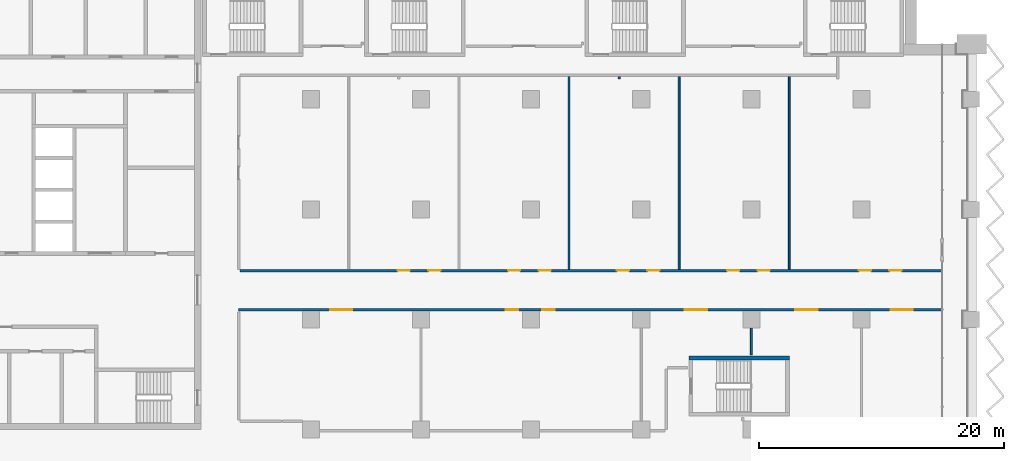
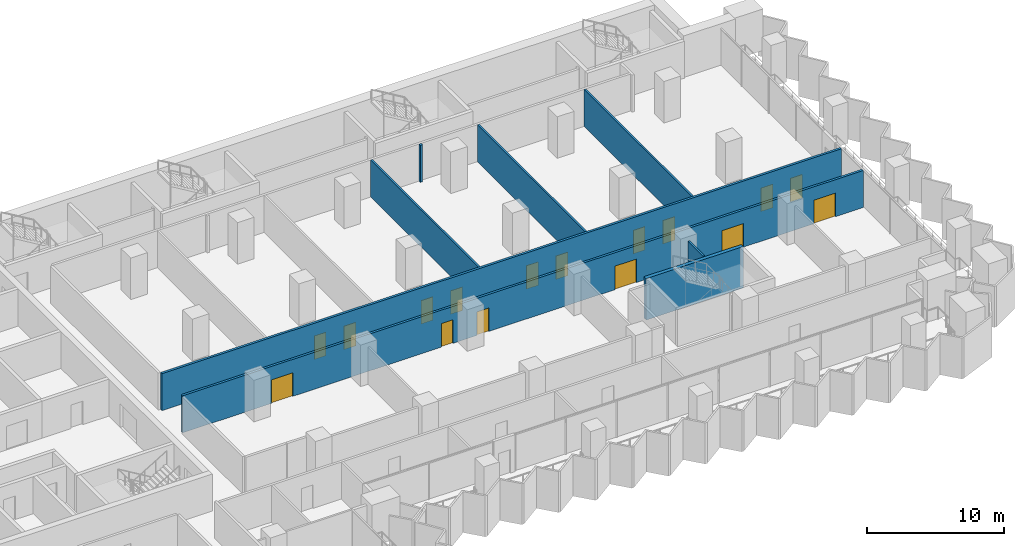
# One storey, part 18 of 29: 16 doors, 8 walls, 16 openings.
"""IFC4 building model written with IfcOpenShell, lengths in metres."""

from ifc_helpers import new_model, si_unit, direction, frame, frame_2d, origin, place, context, subcontext, project, spatial, rectangle, extrude, material, layer, layer_set, type_object, element, fill, save


model = new_model("IFC4")

# Units and contexts
model_context = context("Model", 3, precision=1e-05, world=origin(), true_north=direction((0.0, 1.0)))
body_context = subcontext(model_context, "Body", "Model", "MODEL_VIEW")
ifc_project = project(units=[si_unit("LENGTHUNIT", "METRE"), si_unit("AREAUNIT", "SQUARE_METRE"), si_unit("VOLUMEUNIT", "CUBIC_METRE"), si_unit("PLANEANGLEUNIT", "RADIAN"), si_unit("MASSUNIT", "GRAM", prefix="KILO")], contexts=[model_context])

# Site, building, storey
site_placement = place(None, origin())
site = spatial("IfcSite", under=ifc_project, at=site_placement, CompositionType="ELEMENT")
building_placement = place(site_placement, origin())
building = spatial("IfcBuilding", under=site, at=building_placement, Name="Hunhe Ridgeline Campus", CompositionType="ELEMENT")
storey_placement = place(building_placement, frame((0.0, 0.0, 50.60009765625)))
storey = spatial("IfcBuildingStorey", under=building, at=storey_placement, Name="L11", CompositionType="ELEMENT", Elevation=50.60009765625)

# Wall, openings, doors
ifc_material_1 = material(Name="Gypsum board partition")
ifc_layer_1 = layer(ifc_material_1, 0.199951171875)
ifc_layer_set_1 = layer_set([ifc_layer_1], Name="Corridor partition 200 gypsum board on steel studs")
wall_type_1 = type_object("IfcWallType", Name="Corridor partition 200 gypsum board on steel studs", PredefinedType="PARTITIONING", material=ifc_layer_set_1)
wall_1_placement = place(storey_placement, frame((96.544921875, 72.800048828125, 0.0), z_axis=(0.0, 0.0, 1.0), x_axis=(-1.0, 0.0, 0.0)))
wall_1 = element("IfcWall", 1, at=wall_1_placement, inside=storey, type_object=wall_type_1, Name="F-L11-wall-049", PredefinedType="PARTITIONING", context=body_context, shape_type="SweptSolid", body=[
    extrude(rectangle(XDim=57.44482421875, YDim=0.199951171875, at=frame_2d((28.722412109375, 0.0))), origin(), (0.0, 0.0, 1.0), 3.2998046875),
])
opening_1_placement = place(wall_1_placement, frame((48.14501953125, 0.0, 0.0)))
opening_1 = element("IfcOpeningElement", 2, at=opening_1_placement, cuts=wall_1, Name="Opening RD2-029", PredefinedType="OPENING", context=body_context, shape_type="SweptSolid", body=[
    extrude(rectangle(XDim=1.800048828125, YDim=2.10009765625, at=frame_2d((0.89990234375, 1.050048828125))), frame((0.0, 0.10009765625, 0.0), z_axis=(0.0, -1.0, 0.0), x_axis=(1.0, 0.0, 0.0)), (0.0, 0.0, 1.0), 0.199951171875),
])
opening_2_placement = place(wall_1_placement, frame((34.614013671875, 0.0, 0.0)))
opening_2 = element("IfcOpeningElement", 3, at=opening_2_placement, cuts=wall_1, Name="Opening RD1-030", PredefinedType="OPENING", context=body_context, shape_type="SweptSolid", body=[
    extrude(rectangle(XDim=1.0, YDim=2.10009765625, at=frame_2d((0.5, 1.050048828125))), frame((0.0, 0.10009765625, 0.0), z_axis=(0.0, -1.0, 0.0), x_axis=(1.0, 0.0, 0.0)), (0.0, 0.0, 1.0), 0.199951171875),
])
opening_3_placement = place(wall_1_placement, frame((31.614013671875, 0.0, 0.0)))
opening_3 = element("IfcOpeningElement", 4, at=opening_3_placement, cuts=wall_1, Name="Opening RD1-031", PredefinedType="OPENING", context=body_context, shape_type="SweptSolid", body=[
    extrude(rectangle(XDim=1.0, YDim=2.10009765625, at=frame_2d((0.5, 1.050048828125))), frame((0.0, 0.10009765625, 0.0), z_axis=(0.0, -1.0, 0.0), x_axis=(1.0, 0.0, 0.0)), (0.0, 0.0, 1.0), 0.199951171875),
])
opening_4_placement = place(wall_1_placement, frame((19.168212890625, 0.0, 0.0)))
opening_4 = element("IfcOpeningElement", 5, at=opening_4_placement, cuts=wall_1, Name="Opening RD2-032", PredefinedType="OPENING", context=body_context, shape_type="SweptSolid", body=[
    extrude(rectangle(XDim=1.800048828125, YDim=2.10009765625, at=frame_2d((0.89990234375, 1.050048828125))), frame((0.0, 0.10009765625, 0.0), z_axis=(0.0, -1.0, 0.0), x_axis=(1.0, 0.0, 0.0)), (0.0, 0.0, 1.0), 0.199951171875),
])
opening_5_placement = place(wall_1_placement, frame((10.137451171875, 0.0, 0.0)))
opening_5 = element("IfcOpeningElement", 6, at=opening_5_placement, cuts=wall_1, Name="Opening RD2-033", PredefinedType="OPENING", context=body_context, shape_type="SweptSolid", body=[
    extrude(rectangle(XDim=1.800048828125, YDim=2.10009765625, at=frame_2d((0.89990234375, 1.050048828125))), frame((0.0, 0.10009765625, 0.0), z_axis=(0.0, -1.0, 0.0), x_axis=(1.0, 0.0, 0.0)), (0.0, 0.0, 1.0), 0.199951171875),
])
opening_6_placement = place(wall_1_placement, frame((2.361083984375, 0.0, 0.0)))
opening_6 = element("IfcOpeningElement", 7, at=opening_6_placement, cuts=wall_1, Name="Opening RD2-034", PredefinedType="OPENING", context=body_context, shape_type="SweptSolid", body=[
    extrude(rectangle(XDim=1.800048828125, YDim=2.10009765625, at=frame_2d((0.89990234375, 1.050048828125))), frame((0.0, 0.10009765625, 0.0), z_axis=(0.0, -1.0, 0.0), x_axis=(1.0, 0.0, 0.0)), (0.0, 0.0, 1.0), 0.199951171875),
])
ifc_material_2 = material(Name="Timber door leaf", Category="wood")
door_type_1 = type_object("IfcDoorType", Name="Double fire door 1800x2100 timber FD60", OperationType="DOUBLE_DOOR_SINGLE_SWING", PredefinedType="DOOR", material=ifc_material_2)
door_1_placement = place(opening_1_placement, origin())
door_1 = element("IfcDoor", 8, at=door_1_placement, inside=storey, type_object=door_type_1, Name="F-L11-door-029", OperationType="DOUBLE_DOOR_SINGLE_SWING", OverallHeight=2.10009765625, OverallWidth=1.800048828125, PredefinedType="DOOR", context=body_context, shape_type="SweptSolid", body=[
    extrude(rectangle(XDim=1.800048828125, YDim=2.10009765625, at=frame_2d((0.89990234375, 1.050048828125))), frame((0.0, 0.02490234375, 0.0), z_axis=(0.0, -1.0, 0.0), x_axis=(1.0, 0.0, 0.0)), (0.0, 0.0, 1.0), 0.050048828125),
])
fill(opening_1, door_1)
door_2_placement = place(opening_4_placement, origin())
door_2 = element("IfcDoor", 9, at=door_2_placement, inside=storey, type_object=door_type_1, Name="F-L11-door-032", OperationType="DOUBLE_DOOR_SINGLE_SWING", OverallHeight=2.10009765625, OverallWidth=1.800048828125, PredefinedType="DOOR", context=body_context, shape_type="SweptSolid", body=[
    extrude(rectangle(XDim=1.800048828125, YDim=2.10009765625, at=frame_2d((0.89990234375, 1.050048828125))), frame((0.0, 0.02490234375, 0.0), z_axis=(0.0, -1.0, 0.0), x_axis=(1.0, 0.0, 0.0)), (0.0, 0.0, 1.0), 0.050048828125),
])
fill(opening_4, door_2)
door_3_placement = place(opening_5_placement, origin())
door_3 = element("IfcDoor", 10, at=door_3_placement, inside=storey, type_object=door_type_1, Name="F-L11-door-033", OperationType="DOUBLE_DOOR_SINGLE_SWING", OverallHeight=2.10009765625, OverallWidth=1.800048828125, PredefinedType="DOOR", context=body_context, shape_type="SweptSolid", body=[
    extrude(rectangle(XDim=1.800048828125, YDim=2.10009765625, at=frame_2d((0.89990234375, 1.050048828125))), frame((0.0, 0.02490234375, 0.0), z_axis=(0.0, -1.0, 0.0), x_axis=(1.0, 0.0, 0.0)), (0.0, 0.0, 1.0), 0.050048828125),
])
fill(opening_5, door_3)
door_4_placement = place(opening_6_placement, origin())
door_4 = element("IfcDoor", 11, at=door_4_placement, inside=storey, type_object=door_type_1, Name="F-L11-door-034", OperationType="DOUBLE_DOOR_SINGLE_SWING", OverallHeight=2.10009765625, OverallWidth=1.800048828125, PredefinedType="DOOR", context=body_context, shape_type="SweptSolid", body=[
    extrude(rectangle(XDim=1.800048828125, YDim=2.10009765625, at=frame_2d((0.89990234375, 1.050048828125))), frame((0.0, 0.02490234375, 0.0), z_axis=(0.0, -1.0, 0.0), x_axis=(1.0, 0.0, 0.0)), (0.0, 0.0, 1.0), 0.050048828125),
])
fill(opening_6, door_4)
door_type_2 = type_object("IfcDoorType", Name="Single fire door 1000x2100 timber FD60", OperationType="NOTDEFINED", PredefinedType="DOOR", material=ifc_material_2)
door_5_placement = place(opening_2_placement, frame((1.0, 0.0, 0.0), z_axis=(0.0, 0.0, 1.0), x_axis=(-1.0, 0.0, 0.0)))
door_5 = element("IfcDoor", 12, at=door_5_placement, inside=storey, type_object=door_type_2, Name="F-L11-door-030", OperationType="SINGLE_SWING_LEFT", OverallHeight=2.10009765625, OverallWidth=1.0, PredefinedType="DOOR", context=body_context, shape_type="SweptSolid", body=[
    extrude(rectangle(XDim=1.0, YDim=2.10009765625, at=frame_2d((0.5, 1.050048828125))), frame((0.0, 0.02490234375, 0.0), z_axis=(0.0, -1.0, 0.0), x_axis=(1.0, 0.0, 0.0)), (0.0, 0.0, 1.0), 0.050048828125),
])
fill(opening_2, door_5)
door_6_placement = place(opening_3_placement, frame((1.0, 0.0, 0.0), z_axis=(0.0, 0.0, 1.0), x_axis=(-1.0, 0.0, 0.0)))
door_6 = element("IfcDoor", 13, at=door_6_placement, inside=storey, type_object=door_type_2, Name="F-L11-door-031", OperationType="SINGLE_SWING_RIGHT", OverallHeight=2.10009765625, OverallWidth=1.0, PredefinedType="DOOR", context=body_context, shape_type="SweptSolid", body=[
    extrude(rectangle(XDim=1.0, YDim=2.10009765625, at=frame_2d((0.5, 1.050048828125))), frame((0.0, 0.02490234375, 0.0), z_axis=(0.0, -1.0, 0.0), x_axis=(1.0, 0.0, 0.0)), (0.0, 0.0, 1.0), 0.050048828125),
])
fill(opening_3, door_6)

wall_2_placement = place(storey_placement, frame((39.199951171875, 76.0, 0.0), z_axis=(0.0, 0.0, 1.0), x_axis=(1.0, 0.0, 0.0)))
wall_2 = element("IfcWall", 14, at=wall_2_placement, inside=storey, type_object=wall_type_1, Name="F-L11-wall-050", PredefinedType="PARTITIONING", context=body_context, shape_type="SweptSolid", body=[
    extrude(rectangle(XDim=57.344970703125, YDim=0.199951171875, at=frame_2d((28.67236328125, 0.0))), origin(), (0.0, 0.0, 1.0), 3.2998046875),
])
opening_7_placement = place(wall_2_placement, frame((12.897216796875, 0.0, 0.0)))
opening_7 = element("IfcOpeningElement", 15, at=opening_7_placement, cuts=wall_2, Name="Opening RD1-035", PredefinedType="OPENING", context=body_context, shape_type="SweptSolid", body=[
    extrude(rectangle(XDim=1.0, YDim=2.10009765625, at=frame_2d((0.5, 1.050048828125))), frame((0.0, 0.10009765625, 0.0), z_axis=(0.0, -1.0, 0.0), x_axis=(1.0, 0.0, 0.0)), (0.0, 0.0, 1.0), 0.199951171875),
])
opening_8_placement = place(wall_2_placement, frame((15.397216796875, 0.0, 0.0)))
opening_8 = element("IfcOpeningElement", 16, at=opening_8_placement, cuts=wall_2, Name="Opening RD1-036", PredefinedType="OPENING", context=body_context, shape_type="SweptSolid", body=[
    extrude(rectangle(XDim=1.0, YDim=2.10009765625, at=frame_2d((0.5, 1.050048828125))), frame((0.0, 0.10009765625, 0.0), z_axis=(0.0, -1.0, 0.0), x_axis=(1.0, 0.0, 0.0)), (0.0, 0.0, 1.0), 0.199951171875),
])
opening_9_placement = place(wall_2_placement, frame((21.912109375, 0.0, 0.0)))
opening_9 = element("IfcOpeningElement", 17, at=opening_9_placement, cuts=wall_2, Name="Opening RD1-037", PredefinedType="OPENING", context=body_context, shape_type="SweptSolid", body=[
    extrude(rectangle(XDim=1.0, YDim=2.10009765625, at=frame_2d((0.5, 1.050048828125))), frame((0.0, 0.10009765625, 0.0), z_axis=(0.0, -1.0, 0.0), x_axis=(1.0, 0.0, 0.0)), (0.0, 0.0, 1.0), 0.199951171875),
])
opening_10_placement = place(wall_2_placement, frame((24.412109375, 0.0, 0.0)))
opening_10 = element("IfcOpeningElement", 18, at=opening_10_placement, cuts=wall_2, Name="Opening RD1-038", PredefinedType="OPENING", context=body_context, shape_type="SweptSolid", body=[
    extrude(rectangle(XDim=1.0, YDim=2.10009765625, at=frame_2d((0.5, 1.050048828125))), frame((0.0, 0.10009765625, 0.0), z_axis=(0.0, -1.0, 0.0), x_axis=(1.0, 0.0, 0.0)), (0.0, 0.0, 1.0), 0.199951171875),
])
opening_11_placement = place(wall_2_placement, frame((30.802001953125, 0.0, 0.0)))
opening_11 = element("IfcOpeningElement", 19, at=opening_11_placement, cuts=wall_2, Name="Opening RD1-039", PredefinedType="OPENING", context=body_context, shape_type="SweptSolid", body=[
    extrude(rectangle(XDim=1.0, YDim=2.10009765625, at=frame_2d((0.5, 1.050048828125))), frame((0.0, 0.10009765625, 0.0), z_axis=(0.0, -1.0, 0.0), x_axis=(1.0, 0.0, 0.0)), (0.0, 0.0, 1.0), 0.199951171875),
])
opening_12_placement = place(wall_2_placement, frame((33.302001953125, 0.0, 0.0)))
opening_12 = element("IfcOpeningElement", 20, at=opening_12_placement, cuts=wall_2, Name="Opening RD1-040", PredefinedType="OPENING", context=body_context, shape_type="SweptSolid", body=[
    extrude(rectangle(XDim=1.0, YDim=2.10009765625, at=frame_2d((0.5, 1.050048828125))), frame((0.0, 0.10009765625, 0.0), z_axis=(0.0, -1.0, 0.0), x_axis=(1.0, 0.0, 0.0)), (0.0, 0.0, 1.0), 0.199951171875),
])
opening_13_placement = place(wall_2_placement, frame((39.81689453125, 0.0, 0.0)))
opening_13 = element("IfcOpeningElement", 21, at=opening_13_placement, cuts=wall_2, Name="Opening RD1-041", PredefinedType="OPENING", context=body_context, shape_type="SweptSolid", body=[
    extrude(rectangle(XDim=1.0, YDim=2.10009765625, at=frame_2d((0.5, 1.050048828125))), frame((0.0, 0.10009765625, 0.0), z_axis=(0.0, -1.0, 0.0), x_axis=(1.0, 0.0, 0.0)), (0.0, 0.0, 1.0), 0.199951171875),
])
opening_14_placement = place(wall_2_placement, frame((42.31689453125, 0.0, 0.0)))
opening_14 = element("IfcOpeningElement", 22, at=opening_14_placement, cuts=wall_2, Name="Opening RD1-042", PredefinedType="OPENING", context=body_context, shape_type="SweptSolid", body=[
    extrude(rectangle(XDim=1.0, YDim=2.10009765625, at=frame_2d((0.5, 1.050048828125))), frame((0.0, 0.10009765625, 0.0), z_axis=(0.0, -1.0, 0.0), x_axis=(1.0, 0.0, 0.0)), (0.0, 0.0, 1.0), 0.199951171875),
])
opening_15_placement = place(wall_2_placement, frame((50.584716796875, 0.0, 0.0)))
opening_15 = element("IfcOpeningElement", 23, at=opening_15_placement, cuts=wall_2, Name="Opening RD1-043", PredefinedType="OPENING", context=body_context, shape_type="SweptSolid", body=[
    extrude(rectangle(XDim=1.0, YDim=2.10009765625, at=frame_2d((0.5, 1.050048828125))), frame((0.0, 0.10009765625, 0.0), z_axis=(0.0, -1.0, 0.0), x_axis=(1.0, 0.0, 0.0)), (0.0, 0.0, 1.0), 0.199951171875),
])
opening_16_placement = place(wall_2_placement, frame((53.084716796875, 0.0, 0.0)))
opening_16 = element("IfcOpeningElement", 24, at=opening_16_placement, cuts=wall_2, Name="Opening RD1-044", PredefinedType="OPENING", context=body_context, shape_type="SweptSolid", body=[
    extrude(rectangle(XDim=1.0, YDim=2.10009765625, at=frame_2d((0.5, 1.050048828125))), frame((0.0, 0.10009765625, 0.0), z_axis=(0.0, -1.0, 0.0), x_axis=(1.0, 0.0, 0.0)), (0.0, 0.0, 1.0), 0.199951171875),
])
door_7_placement = place(opening_7_placement, frame((1.0, 0.0, 0.0), z_axis=(0.0, 0.0, 1.0), x_axis=(-1.0, 0.0, 0.0)))
door_7 = element("IfcDoor", 25, at=door_7_placement, inside=storey, type_object=door_type_2, Name="F-L11-door-035", OperationType="SINGLE_SWING_LEFT", OverallHeight=2.10009765625, OverallWidth=1.0, PredefinedType="DOOR", context=body_context, shape_type="SweptSolid", body=[
    extrude(rectangle(XDim=1.0, YDim=2.10009765625, at=frame_2d((0.5, 1.050048828125))), frame((0.0, 0.02490234375, 0.0), z_axis=(0.0, -1.0, 0.0), x_axis=(1.0, 0.0, 0.0)), (0.0, 0.0, 1.0), 0.050048828125),
])
fill(opening_7, door_7)
door_8_placement = place(opening_8_placement, frame((1.0, 0.0, 0.0), z_axis=(0.0, 0.0, 1.0), x_axis=(-1.0, 0.0, 0.0)))
door_8 = element("IfcDoor", 26, at=door_8_placement, inside=storey, type_object=door_type_2, Name="F-L11-door-036", OperationType="SINGLE_SWING_LEFT", OverallHeight=2.10009765625, OverallWidth=1.0, PredefinedType="DOOR", context=body_context, shape_type="SweptSolid", body=[
    extrude(rectangle(XDim=1.0, YDim=2.10009765625, at=frame_2d((0.5, 1.050048828125))), frame((0.0, 0.02490234375, 0.0), z_axis=(0.0, -1.0, 0.0), x_axis=(1.0, 0.0, 0.0)), (0.0, 0.0, 1.0), 0.050048828125),
])
fill(opening_8, door_8)
door_9_placement = place(opening_9_placement, frame((1.0, 0.0, 0.0), z_axis=(0.0, 0.0, 1.0), x_axis=(-1.0, 0.0, 0.0)))
door_9 = element("IfcDoor", 27, at=door_9_placement, inside=storey, type_object=door_type_2, Name="F-L11-door-037", OperationType="SINGLE_SWING_RIGHT", OverallHeight=2.10009765625, OverallWidth=1.0, PredefinedType="DOOR", context=body_context, shape_type="SweptSolid", body=[
    extrude(rectangle(XDim=1.0, YDim=2.10009765625, at=frame_2d((0.5, 1.050048828125))), frame((0.0, 0.02490234375, 0.0), z_axis=(0.0, -1.0, 0.0), x_axis=(1.0, 0.0, 0.0)), (0.0, 0.0, 1.0), 0.050048828125),
])
fill(opening_9, door_9)
door_10_placement = place(opening_10_placement, frame((1.0, 0.0, 0.0), z_axis=(0.0, 0.0, 1.0), x_axis=(-1.0, 0.0, 0.0)))
door_10 = element("IfcDoor", 28, at=door_10_placement, inside=storey, type_object=door_type_2, Name="F-L11-door-038", OperationType="SINGLE_SWING_LEFT", OverallHeight=2.10009765625, OverallWidth=1.0, PredefinedType="DOOR", context=body_context, shape_type="SweptSolid", body=[
    extrude(rectangle(XDim=1.0, YDim=2.10009765625, at=frame_2d((0.5, 1.050048828125))), frame((0.0, 0.02490234375, 0.0), z_axis=(0.0, -1.0, 0.0), x_axis=(1.0, 0.0, 0.0)), (0.0, 0.0, 1.0), 0.050048828125),
])
fill(opening_10, door_10)
door_11_placement = place(opening_11_placement, frame((1.0, 0.0, 0.0), z_axis=(0.0, 0.0, 1.0), x_axis=(-1.0, 0.0, 0.0)))
door_11 = element("IfcDoor", 29, at=door_11_placement, inside=storey, type_object=door_type_2, Name="F-L11-door-039", OperationType="SINGLE_SWING_LEFT", OverallHeight=2.10009765625, OverallWidth=1.0, PredefinedType="DOOR", context=body_context, shape_type="SweptSolid", body=[
    extrude(rectangle(XDim=1.0, YDim=2.10009765625, at=frame_2d((0.5, 1.050048828125))), frame((0.0, 0.02490234375, 0.0), z_axis=(0.0, -1.0, 0.0), x_axis=(1.0, 0.0, 0.0)), (0.0, 0.0, 1.0), 0.050048828125),
])
fill(opening_11, door_11)
door_12_placement = place(opening_12_placement, frame((1.0, 0.0, 0.0), z_axis=(0.0, 0.0, 1.0), x_axis=(-1.0, 0.0, 0.0)))
door_12 = element("IfcDoor", 30, at=door_12_placement, inside=storey, type_object=door_type_2, Name="F-L11-door-040", OperationType="SINGLE_SWING_LEFT", OverallHeight=2.10009765625, OverallWidth=1.0, PredefinedType="DOOR", context=body_context, shape_type="SweptSolid", body=[
    extrude(rectangle(XDim=1.0, YDim=2.10009765625, at=frame_2d((0.5, 1.050048828125))), frame((0.0, 0.02490234375, 0.0), z_axis=(0.0, -1.0, 0.0), x_axis=(1.0, 0.0, 0.0)), (0.0, 0.0, 1.0), 0.050048828125),
])
fill(opening_12, door_12)
door_13_placement = place(opening_13_placement, frame((1.0, 0.0, 0.0), z_axis=(0.0, 0.0, 1.0), x_axis=(-1.0, 0.0, 0.0)))
door_13 = element("IfcDoor", 31, at=door_13_placement, inside=storey, type_object=door_type_2, Name="F-L11-door-041", OperationType="SINGLE_SWING_LEFT", OverallHeight=2.10009765625, OverallWidth=1.0, PredefinedType="DOOR", context=body_context, shape_type="SweptSolid", body=[
    extrude(rectangle(XDim=1.0, YDim=2.10009765625, at=frame_2d((0.5, 1.050048828125))), frame((0.0, 0.02490234375, 0.0), z_axis=(0.0, -1.0, 0.0), x_axis=(1.0, 0.0, 0.0)), (0.0, 0.0, 1.0), 0.050048828125),
])
fill(opening_13, door_13)
door_14_placement = place(opening_14_placement, frame((1.0, 0.0, 0.0), z_axis=(0.0, 0.0, 1.0), x_axis=(-1.0, 0.0, 0.0)))
door_14 = element("IfcDoor", 32, at=door_14_placement, inside=storey, type_object=door_type_2, Name="F-L11-door-042", OperationType="SINGLE_SWING_LEFT", OverallHeight=2.10009765625, OverallWidth=1.0, PredefinedType="DOOR", context=body_context, shape_type="SweptSolid", body=[
    extrude(rectangle(XDim=1.0, YDim=2.10009765625, at=frame_2d((0.5, 1.050048828125))), frame((0.0, 0.02490234375, 0.0), z_axis=(0.0, -1.0, 0.0), x_axis=(1.0, 0.0, 0.0)), (0.0, 0.0, 1.0), 0.050048828125),
])
fill(opening_14, door_14)
door_15_placement = place(opening_15_placement, frame((1.0, 0.0, 0.0), z_axis=(0.0, 0.0, 1.0), x_axis=(-1.0, 0.0, 0.0)))
door_15 = element("IfcDoor", 33, at=door_15_placement, inside=storey, type_object=door_type_2, Name="F-L11-door-043", OperationType="SINGLE_SWING_LEFT", OverallHeight=2.10009765625, OverallWidth=1.0, PredefinedType="DOOR", context=body_context, shape_type="SweptSolid", body=[
    extrude(rectangle(XDim=1.0, YDim=2.10009765625, at=frame_2d((0.5, 1.050048828125))), frame((0.0, 0.02490234375, 0.0), z_axis=(0.0, -1.0, 0.0), x_axis=(1.0, 0.0, 0.0)), (0.0, 0.0, 1.0), 0.050048828125),
])
fill(opening_15, door_15)
door_16_placement = place(opening_16_placement, frame((1.0, 0.0, 0.0), z_axis=(0.0, 0.0, 1.0), x_axis=(-1.0, 0.0, 0.0)))
door_16 = element("IfcDoor", 34, at=door_16_placement, inside=storey, type_object=door_type_2, Name="F-L11-door-044", OperationType="SINGLE_SWING_LEFT", OverallHeight=2.10009765625, OverallWidth=1.0, PredefinedType="DOOR", context=body_context, shape_type="SweptSolid", body=[
    extrude(rectangle(XDim=1.0, YDim=2.10009765625, at=frame_2d((0.5, 1.050048828125))), frame((0.0, 0.02490234375, 0.0), z_axis=(0.0, -1.0, 0.0), x_axis=(1.0, 0.0, 0.0)), (0.0, 0.0, 1.0), 0.050048828125),
])
fill(opening_16, door_16)

# Walls
wall_3_placement = place(storey_placement, frame((70.199951171875, 91.85009765625, 0.0), z_axis=(0.0, 0.0, 1.0), x_axis=(0.0, -1.0, 0.0)))
element("IfcWall", 35, at=wall_3_placement, inside=storey, type_object=wall_type_1, Name="F-L11-wall-081", PredefinedType="PARTITIONING", context=body_context, shape_type="SweptSolid", body=[
    extrude(rectangle(XDim=0.2001953125, YDim=0.199951171875, at=frame_2d((0.10009765625, 0.0))), origin(), (0.0, 0.0, 1.0), 3.2998046875),
])
ifc_layer_2 = layer(ifc_material_1, 0.14990234375)
ifc_layer_set_2 = layer_set([ifc_layer_2], Name="Room partition 150 gypsum board on steel studs")
wall_type_2 = type_object("IfcWallType", Name="Room partition 150 gypsum board on steel studs", PredefinedType="PARTITIONING", material=ifc_layer_set_2)
for number, where, z_axis, x_axis, name in (
    (36, (66.10009765625, 91.85009765625, 0.0), (0.0, 0.0, 1.0), (0.0, -1.0, 0.0), "F-L11-wall-079"),
    (37, (75.10009765625, 91.85009765625, 0.0), (0.0, 0.0, 1.0), (0.0, -1.0, 0.0), "F-L11-wall-085"),
):
    element("IfcWall", number, at=place(storey_placement, frame(where, z_axis=z_axis, x_axis=x_axis)), inside=storey, type_object=wall_type_2, Name=name, PredefinedType="PARTITIONING", context=body_context, shape_type="SweptSolid", body=[
        extrude(rectangle(XDim=15.75, YDim=0.14990234375, at=frame_2d((7.875, 0.0))), origin(), (0.0, 0.0, 1.0), 3.2998046875),
    ])
wall_4_placement = place(storey_placement, frame((81.0, 71.300048828125, 0.0), z_axis=(0.0, 0.0, 1.0), x_axis=(0.0, -1.0, 0.0)))
element("IfcWall", 38, at=wall_4_placement, inside=storey, type_object=wall_type_2, Name="F-L11-wall-087", PredefinedType="PARTITIONING", context=body_context, shape_type="SweptSolid", body=[
    extrude(rectangle(XDim=2.196044921875, YDim=0.14990234375, at=frame_2d((1.09814453125, 0.0))), origin(), (0.0, 0.0, 1.0), 3.2998046875),
])
wall_5_placement = place(storey_placement, frame((84.10009765625, 91.85009765625, 0.0), z_axis=(0.0, 0.0, 1.0), x_axis=(0.0, -1.0, 0.0)))
element("IfcWall", 39, at=wall_5_placement, inside=storey, type_object=wall_type_2, Name="F-L11-wall-088", PredefinedType="PARTITIONING", context=body_context, shape_type="SweptSolid", body=[
    extrude(rectangle(XDim=15.75, YDim=0.14990234375, at=frame_2d((7.875, 0.0))), origin(), (0.0, 0.0, 1.0), 3.2998046875),
])
ifc_material_3 = material(Name="Concrete C80", Category="concrete")
ifc_layer_3 = layer(ifc_material_3, 0.300048828125)
ifc_layer_set_3 = layer_set([ifc_layer_3], Name="Stair wall 300 reinforced concrete C80")
wall_type_3 = type_object("IfcWallType", Name="Stair wall 300 reinforced concrete C80", PredefinedType="SOLIDWALL", material=ifc_layer_set_3)
wall_6_placement = place(storey_placement, frame((75.89990234375, 68.85009765625, -0.400146484375), z_axis=(0.0, 0.0, 1.0), x_axis=(1.0, 0.0, 0.0)))
element("IfcWall", 40, at=wall_6_placement, inside=storey, type_object=wall_type_3, Name="L11 core wall 10", PredefinedType="SOLIDWALL", context=body_context, shape_type="SweptSolid", body=[
    extrude(rectangle(XDim=8.2001953125, YDim=0.300048828125, at=frame_2d((4.10009765625, 0.0))), origin(), (0.0, 0.0, 1.0), 3.699951171875),
])

save(model, "model.ifc")
